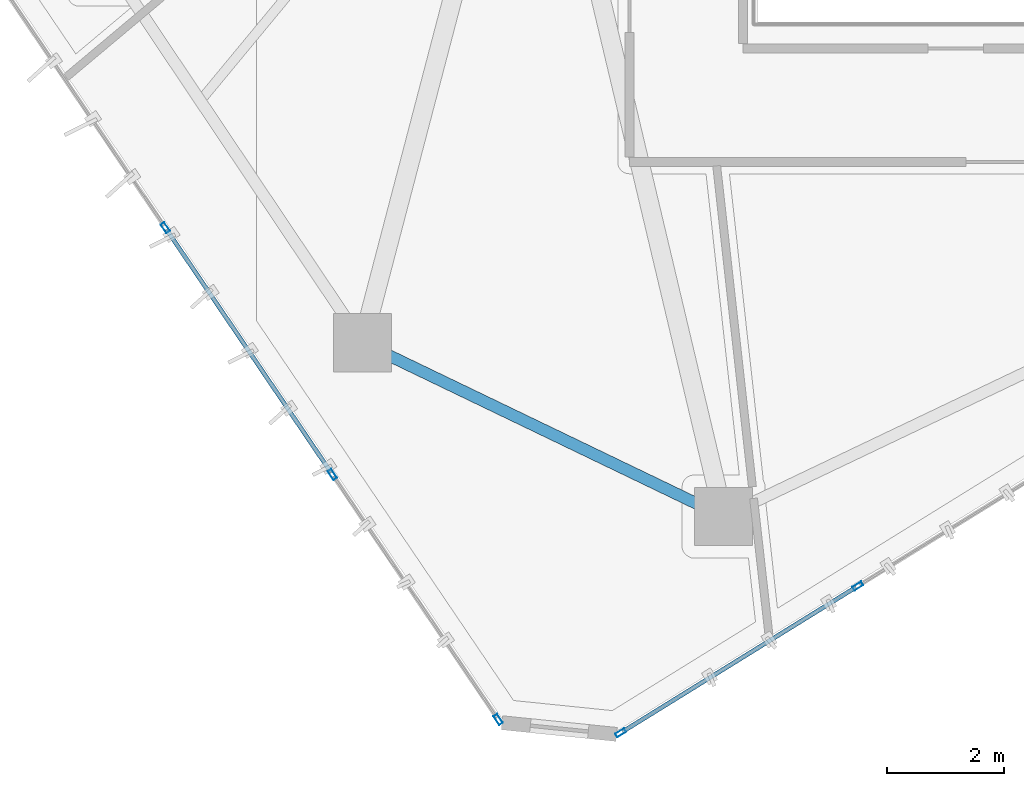
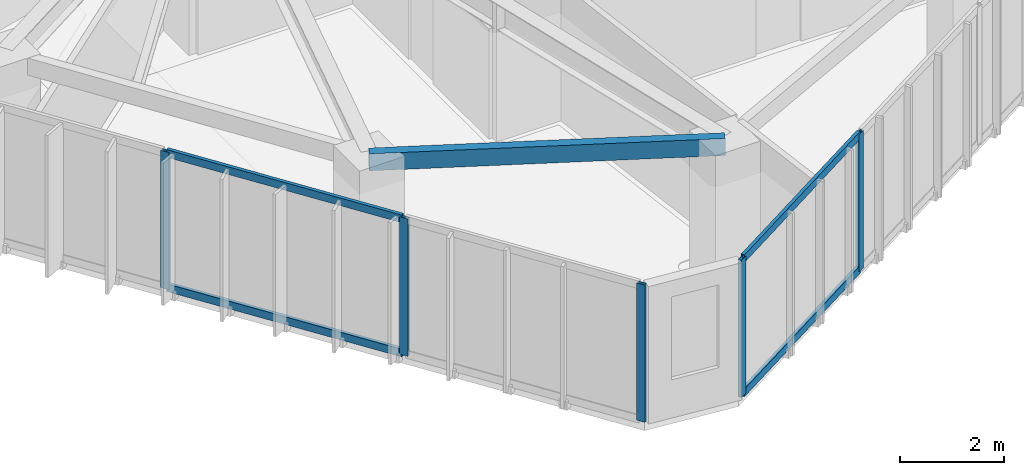
# One storey, part 2 of 21: 9 members, 1 beam, 2 elements without a shape of their own.
"""IFC4 building model written with IfcOpenShell, lengths in metres."""

from ifc_helpers import new_model, si_unit, direction, frame, origin, origin_2d, place, context, subcontext, project, spatial, hollow_rectangle, extrude, source, transform, mapped, material, layer, layer_set, material_profile, profile_set, type_object, type_shapes, element, aggregate, save


model = new_model("IFC4")

# Units and contexts
model_context = context("Model", 3, precision=1e-05, world=origin(), true_north=direction((0.0, 1.0)))
body_context = subcontext(model_context, "Body", "Model", "MODEL_VIEW")
ifc_project = project(units=[si_unit("LENGTHUNIT", "METRE"), si_unit("AREAUNIT", "SQUARE_METRE"), si_unit("VOLUMEUNIT", "CUBIC_METRE"), si_unit("PLANEANGLEUNIT", "RADIAN"), si_unit("MASSUNIT", "GRAM", prefix="KILO")], contexts=[model_context])

# Site, building, storey
site_placement = place(None, origin())
site = spatial("IfcSite", under=ifc_project, at=site_placement, CompositionType="ELEMENT")
building_placement = place(site_placement, origin())
building = spatial("IfcBuilding", under=site, at=building_placement, Name="Talar Marvaseh", CompositionType="ELEMENT")
storey_placement = place(building_placement, frame((0.0, 0.0, 184.5)))
storey = spatial("IfcBuildingStorey", under=building, at=storey_placement, Name="L48", CompositionType="ELEMENT", Elevation=184.5)

# Beam
ifc_material_1 = material(Name="Steel S355", Category="steel")
ifc_material_profile_1 = material_profile(ifc_material_1, hollow_rectangle(XDim=0.199951171875, YDim=0.39990234375, WallThickness=0.013916015625, at=origin_2d()), Name="RHS400x200x14")
ifc_profile_set_1 = profile_set([ifc_material_profile_1], Name="Steel S355")
beam_type = type_object("IfcBeamType", Name="Zone 3 Perimeter Spandrel Beam RHS400x200x14", PredefinedType="SPANDREL", material=ifc_profile_set_1)
beam_placement = place(storey_placement, frame((22.014892578125, 11.51904296875, 3.030029296875), z_axis=(-0.901071562993, 0.433670425975, 0.0), x_axis=(-0.433670425975, -0.901071562993, 0.0)))
element("IfcBeam", 1, at=beam_placement, inside=storey, type_object=beam_type, Name="L48 Zone 3 Perimeter Spandrel Beam RHS400x200x14", PredefinedType="SPANDREL", context=body_context, shape_type="SweptSolid", body=[
    extrude(hollow_rectangle(XDim=0.199951171875, YDim=0.39990234375, WallThickness=0.013916015625, at=origin_2d()), origin(), (0.0, 0.0, 1.0), 6.8759765625),
])

# Curtain wall, members
ifc_material_2 = material(Name="Architectural Aluminium", Category="aluminium")
ifc_layer = layer(ifc_material_2, 0.18994140625)
ifc_layer_set = layer_set([ifc_layer], Name="Architectural Aluminium")
curtain_wall_type = type_object("IfcCurtainWallType", Name="Unitised Solar Atelier Curtain Wall Z3", PredefinedType="NOTDEFINED", material=ifc_layer_set)
curtain_wall_1_placement = place(storey_placement, origin())
curtain_wall_1 = element("IfcCurtainWall", 2, at=curtain_wall_1_placement, inside=storey, type_object=curtain_wall_type, Name="L48 Unitised Solar Atelier Curtain Wall Z3", PredefinedType="NOTDEFINED")
ifc_material_profile_2 = material_profile(ifc_material_2, hollow_rectangle(XDim=0.074951171875, YDim=0.179931640625, WallThickness=0.0048828125, at=origin_2d()), Name="RHS180x75x5")
ifc_profile_set_2 = profile_set([ifc_material_profile_2], Name="Architectural Aluminium")
member_type_1 = type_object("IfcMemberType", Name="Unitised Curtain Wall Standard Mullion RHS180x75x5", PredefinedType="MULLION", material=ifc_profile_set_2)
shared_shape_1 = source(origin(), body_context, "Body", "SweptSolid", [
    extrude(hollow_rectangle(XDim=0.074951171875, YDim=0.179931640625, WallThickness=0.0048828125, at=origin_2d()), origin(), (0.0, 0.0, 1.0), 3.22998046875),
])
type_shapes(member_type_1, [shared_shape_1])
member_1_placement = place(storey_placement, frame((18.14892578125, 8.03759765625, 0.0), z_axis=(0.0, 0.0, 1.0), x_axis=(-0.82809471268, -0.560588215031, 0.0)))
member_1 = element("IfcMember", 3, at=member_1_placement, type_object=member_type_1, Name="CW-Z3 mullion 1", PredefinedType="MULLION", context=body_context, shape_type="MappedRepresentation", body=[
    mapped(shared_shape_1, transform((0.0, 0.0, 0.0), x_axis=(1.0, 0.0, 0.0), y_axis=(0.0, 1.0, 0.0), z_axis=(0.0, 0.0, 1.0), scale=1.0)),
])
member_2_placement = place(storey_placement, frame((15.3037109375, 12.240478515625, 0.0), z_axis=(0.0, 0.0, 1.0), x_axis=(-0.82809471268, -0.560588215031, 0.0)))
member_2 = element("IfcMember", 4, at=member_2_placement, type_object=member_type_1, Name="CW-Z3 mullion 2", PredefinedType="MULLION", context=body_context, shape_type="MappedRepresentation", body=[
    mapped(shared_shape_1, transform((0.0, 0.0, 0.0), x_axis=(1.0, 0.0, 0.0), y_axis=(0.0, 1.0, 0.0), z_axis=(0.0, 0.0, 1.0), scale=1.0)),
])
member_3_placement = place(storey_placement, frame((12.437255859375, 16.474609375, 0.0), z_axis=(0.0, 0.0, 1.0), x_axis=(-0.82809471268, -0.560588215031, 0.0)))
member_3 = element("IfcMember", 5, at=member_3_placement, type_object=member_type_1, Name="CW-Z3 mullion 3", PredefinedType="MULLION", context=body_context, shape_type="MappedRepresentation", body=[
    mapped(shared_shape_1, transform((0.0, 0.0, 0.0), x_axis=(1.0, 0.0, 0.0), y_axis=(0.0, 1.0, 0.0), z_axis=(0.0, 0.0, 1.0), scale=1.0)),
])

curtain_wall_2_placement = place(storey_placement, origin())
curtain_wall_2 = element("IfcCurtainWall", 6, at=curtain_wall_2_placement, inside=storey, type_object=curtain_wall_type, Name="L48 Unitised Solar Atelier Curtain Wall Z3", PredefinedType="NOTDEFINED")
member_4_placement = place(storey_placement, frame((24.318603515625, 10.326416015625, 0.0), z_axis=(0.0, 0.0, 1.0), x_axis=(0.526349260096, -0.850268461368, 0.0)))
member_4 = element("IfcMember", 7, at=member_4_placement, type_object=member_type_1, Name="CW-Z3 mullion 4", PredefinedType="MULLION", context=body_context, shape_type="MappedRepresentation", body=[
    mapped(shared_shape_1, transform((0.0, 0.0, 0.0), x_axis=(1.0, 0.0, 0.0), y_axis=(0.0, 1.0, 0.0), z_axis=(0.0, 0.0, 1.0), scale=1.0)),
])
member_5_placement = place(storey_placement, frame((20.25048828125, 7.80810546875, 0.0), z_axis=(0.0, 0.0, 1.0), x_axis=(0.526349260096, -0.850268461368, 0.0)))
member_5 = element("IfcMember", 8, at=member_5_placement, type_object=member_type_1, Name="CW-Z3 mullion 5", PredefinedType="MULLION", context=body_context, shape_type="MappedRepresentation", body=[
    mapped(shared_shape_1, transform((0.0, 0.0, 0.0), x_axis=(1.0, 0.0, 0.0), y_axis=(0.0, 1.0, 0.0), z_axis=(0.0, 0.0, 1.0), scale=1.0)),
])
ifc_material_profile_3 = material_profile(ifc_material_2, hollow_rectangle(XDim=0.074951171875, YDim=0.179931640625, WallThickness=0.0048828125, at=origin_2d()), Name="RHS180x75x5")
ifc_profile_set_3 = profile_set([ifc_material_profile_3], Name="Architectural Aluminium")
member_type_2 = type_object("IfcMemberType", Name="Unitised Curtain Wall Transom RHS180x75x5", PredefinedType="USERDEFINED", material=ifc_profile_set_3)
shared_shape_2 = source(origin(), body_context, "Body", "SweptSolid", [
    extrude(hollow_rectangle(XDim=0.074951171875, YDim=0.179931640625, WallThickness=0.0048828125, at=origin_2d()), origin(), (0.0, 0.0, 1.0), 4.70947265625),
])
member_6_placement = place(storey_placement, frame((24.286865234375, 10.306640625, 0.03759765625), z_axis=(-0.850279508598, -0.5263314139, 0.0), x_axis=(0.5263314139, -0.850279508598, 0.0)))
member_6 = element("IfcMember", 9, at=member_6_placement, type_object=member_type_2, Name="CW-Z3 transom 4.1", ObjectType="TRANSOM", PredefinedType="USERDEFINED", context=body_context, shape_type="MappedRepresentation", body=[
    mapped(shared_shape_2, transform((0.0, 0.0, 0.0), x_axis=(1.0, 0.0, 0.0), y_axis=(0.0, 1.0, 0.0), z_axis=(0.0, 0.0, 1.0), scale=1.0)),
])
member_7_placement = place(storey_placement, frame((24.286865234375, 10.306640625, 3.1923828125), z_axis=(-0.850279508598, -0.5263314139, 0.0), x_axis=(0.5263314139, -0.850279508598, 0.0)))
member_7 = element("IfcMember", 10, at=member_7_placement, type_object=member_type_2, Name="CW-Z3 transom 4.2", ObjectType="TRANSOM", PredefinedType="USERDEFINED", context=body_context, shape_type="MappedRepresentation", body=[
    mapped(shared_shape_2, transform((0.0, 0.0, 0.0), x_axis=(1.0, 0.0, 0.0), y_axis=(0.0, 1.0, 0.0), z_axis=(0.0, 0.0, 1.0), scale=1.0)),
])
aggregate(curtain_wall_2, [member_4, member_5, member_6, member_7])

# Member
shared_shape_3 = source(origin(), body_context, "Body", "SweptSolid", [
    extrude(hollow_rectangle(XDim=0.074951171875, YDim=0.179931640625, WallThickness=0.0048828125, at=origin_2d()), origin(), (0.0, 0.0, 1.0), 5.037841796875),
])
type_shapes(member_type_2, [shared_shape_2, shared_shape_3])
member_8_placement = place(storey_placement, frame((15.282470703125, 12.271728515625, 0.03759765625), z_axis=(-0.560590952601, 0.828092859444, 0.0), x_axis=(-0.828092859444, -0.560590952601, 0.0)))
member_8 = element("IfcMember", 11, at=member_8_placement, type_object=member_type_2, Name="CW-Z3 transom 2.1", ObjectType="TRANSOM", PredefinedType="USERDEFINED", context=body_context, shape_type="MappedRepresentation", body=[
    mapped(shared_shape_3, transform((0.0, 0.0, 0.0), x_axis=(1.0, 0.0, 0.0), y_axis=(0.0, 1.0, 0.0), z_axis=(0.0, 0.0, 1.0), scale=1.0)),
])

member_9_placement = place(storey_placement, frame((15.282470703125, 12.271728515625, 3.1923828125), z_axis=(-0.560590952601, 0.828092859444, 0.0), x_axis=(-0.828092859444, -0.560590952601, 0.0)))
member_9 = element("IfcMember", 12, at=member_9_placement, type_object=member_type_2, Name="CW-Z3 transom 2.2", ObjectType="TRANSOM", PredefinedType="USERDEFINED", context=body_context, shape_type="MappedRepresentation", body=[
    mapped(shared_shape_3, transform((0.0, 0.0, 0.0), x_axis=(1.0, 0.0, 0.0), y_axis=(0.0, 1.0, 0.0), z_axis=(0.0, 0.0, 1.0), scale=1.0)),
])

aggregate(curtain_wall_1, [member_1, member_2, member_3, member_8, member_9])

save(model, "model.ifc")
